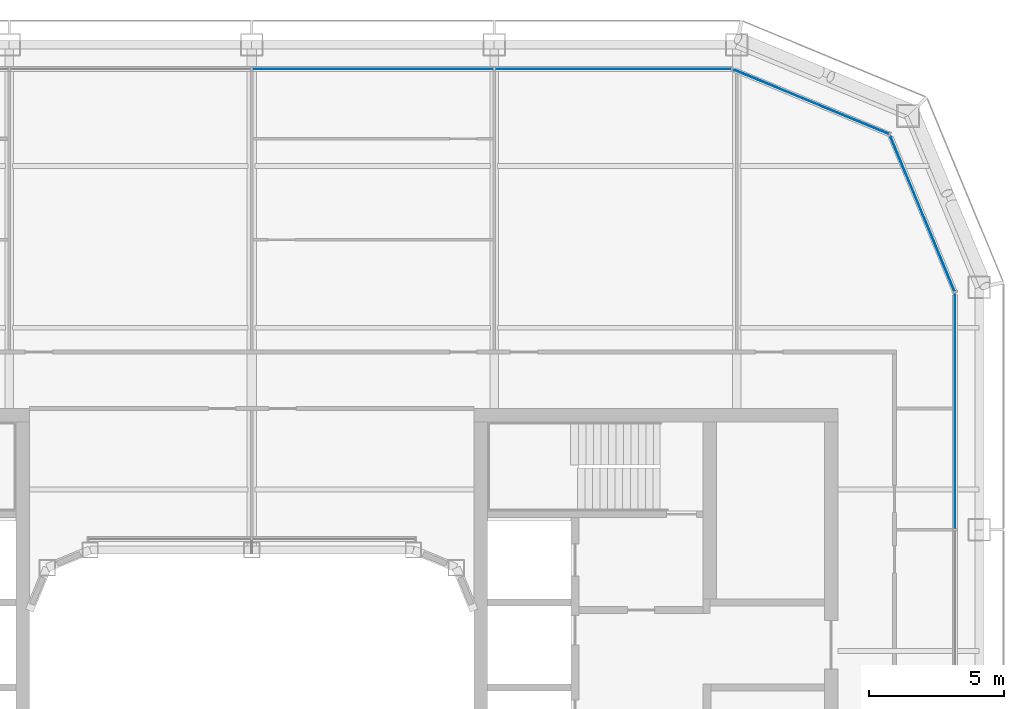
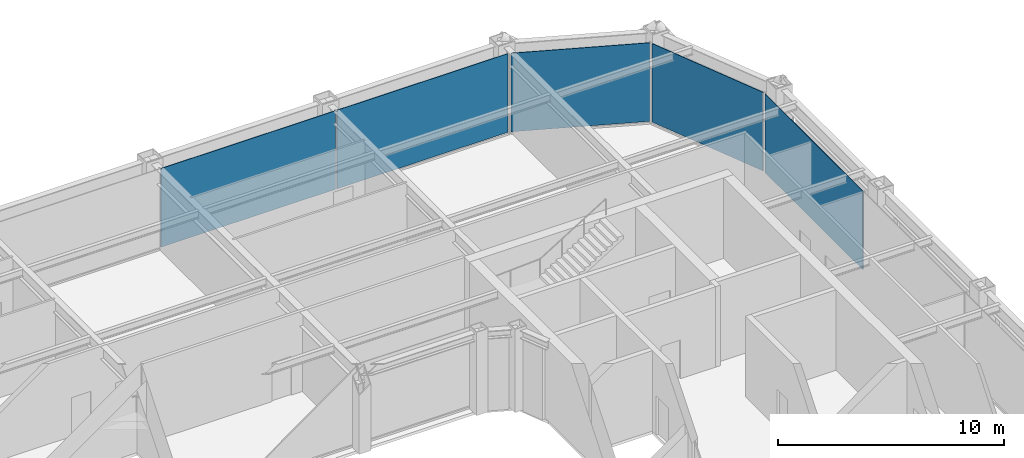
# One storey, part 12 of 23: 5 plates, 4 elements without a shape of their own.
"""IFC4 building model written with IfcOpenShell, lengths in metres."""

from ifc_helpers import new_model, si_unit, direction, frame, origin, origin_2d, place, context, subcontext, project, spatial, rectangle, extrude, material, layer, layer_set, type_object, element, aggregate, save


model = new_model("IFC4")

# Units and contexts
model_context = context("Model", 3, precision=1e-05, world=origin(), true_north=direction((0.0, 1.0)))
body_context = subcontext(model_context, "Body", "Model", "MODEL_VIEW")
ifc_project = project(units=[si_unit("LENGTHUNIT", "METRE"), si_unit("AREAUNIT", "SQUARE_METRE"), si_unit("VOLUMEUNIT", "CUBIC_METRE"), si_unit("PLANEANGLEUNIT", "RADIAN"), si_unit("MASSUNIT", "GRAM", prefix="KILO")], contexts=[model_context])

# Site, building, storey
site_placement = place(None, origin())
site = spatial("IfcSite", under=ifc_project, at=site_placement, CompositionType="ELEMENT")
building_placement = place(site_placement, origin())
building = spatial("IfcBuilding", under=site, at=building_placement, Name="Siwar Civic Tower", CompositionType="ELEMENT")
storey_placement = place(building_placement, frame((0.0, 0.0, 233.199951171875)))
storey = spatial("IfcBuildingStorey", under=building, at=storey_placement, Name="L50", CompositionType="ELEMENT", Elevation=233.199951171875)

# Curtain wall, plate
ifc_material_1 = material(Name="Aluminium and glass", Category="aluminium")
ifc_layer_1 = layer(ifc_material_1, 0.179931640625)
ifc_layer_set_1 = layer_set([ifc_layer_1], Name="Aluminium and glass")
curtain_wall_type_1 = type_object("IfcCurtainWallType", Name="ENV-CW-C", PredefinedType="NOTDEFINED", material=ifc_layer_set_1)
curtain_wall_1_placement = place(storey_placement, origin())
curtain_wall_1 = element("IfcCurtainWall", 1, at=curtain_wall_1_placement, inside=storey, type_object=curtain_wall_type_1, Name="Curtain wall C E", PredefinedType="NOTDEFINED")
ifc_material_2 = material(Name="Glass clear laminated", Category="glass")
ifc_layer_2 = layer(ifc_material_2, 0.031982421875)
ifc_layer_set_2 = layer_set([ifc_layer_2], Name="Glass clear laminated")
plate_type_1 = type_object("IfcPlateType", Name="ENV-PANEL-C", PredefinedType="CURTAIN_PANEL", material=ifc_layer_set_2)
plate_1_placement = place(storey_placement, frame((26.10009765625, 13.373046875, 0.10009765625), z_axis=(0.0, 0.0, 1.0), x_axis=(0.0, 1.0, 0.0)))
plate_1 = element("IfcPlate", 2, at=plate_1_placement, type_object=plate_type_1, Name="Curtain panel C E 4", PredefinedType="CURTAIN_PANEL", context=body_context, shape_type="SweptSolid", body=[
    extrude(rectangle(XDim=8.68603515625, YDim=0.031982421875, at=origin_2d()), origin(), (0.0, 0.0, 1.0), 4.25),
])
aggregate(curtain_wall_1, [plate_1])

# Curtain wall, plates
curtain_wall_2_placement = place(storey_placement, origin())
curtain_wall_2 = element("IfcCurtainWall", 3, at=curtain_wall_2_placement, inside=storey, type_object=curtain_wall_type_1, Name="Curtain wall C N", PredefinedType="NOTDEFINED")
plate_2_placement = place(storey_placement, frame((13.410400390625, 26.10009765625, 0.10009765625), z_axis=(0.0, 0.0, 1.0), x_axis=(-1.0, 0.0, 0.0)))
plate_2 = element("IfcPlate", 4, at=plate_2_placement, type_object=plate_type_1, Name="Curtain panel C N 1", PredefinedType="CURTAIN_PANEL", context=body_context, shape_type="SweptSolid", body=[
    extrude(rectangle(XDim=8.760986328125, YDim=0.031982421875, at=origin_2d()), origin(), (0.0, 0.0, 1.0), 4.25),
])
plate_3_placement = place(storey_placement, frame((4.5, 26.10009765625, 0.10009765625), z_axis=(0.0, 0.0, 1.0), x_axis=(-1.0, 0.0, 0.0)))
plate_3 = element("IfcPlate", 5, at=plate_3_placement, type_object=plate_type_1, Name="Curtain panel C N 2", PredefinedType="CURTAIN_PANEL", context=body_context, shape_type="SweptSolid", body=[
    extrude(rectangle(XDim=8.93994140625, YDim=0.031982421875, at=origin_2d()), origin(), (0.0, 0.0, 1.0), 4.25),
])
aggregate(curtain_wall_2, [plate_2, plate_3])

# Curtain wall, plate
ifc_material_3 = material(Name="Aluminium clad insulated panel", Category="aluminium")
ifc_layer_3 = layer(ifc_material_3, 0.179931640625)
ifc_layer_set_3 = layer_set([ifc_layer_3], Name="Aluminium clad insulated panel")
curtain_wall_type_2 = type_object("IfcCurtainWallType", Name="ENV-CW-CX", PredefinedType="NOTDEFINED", material=ifc_layer_set_3)
curtain_wall_3_placement = place(storey_placement, origin())
curtain_wall_3 = element("IfcCurtainWall", 6, at=curtain_wall_3_placement, inside=storey, type_object=curtain_wall_type_2, Name="Curtain wall C NE1", PredefinedType="NOTDEFINED")
ifc_material_4 = material(Name="Aluminium clad insulated panel", Category="aluminium")
ifc_layer_4 = layer(ifc_material_4, 0.031982421875)
ifc_layer_set_4 = layer_set([ifc_layer_4], Name="Aluminium clad insulated panel")
plate_type_2 = type_object("IfcPlateType", Name="ENV-PANEL-CX", PredefinedType="CURTAIN_PANEL", material=ifc_layer_set_4)
plate_4_placement = place(storey_placement, frame((24.90185546875, 20.71337890625, 0.10009765625), z_axis=(0.0, 0.0, 1.0), x_axis=(-0.382683432365, 0.923879532511, 0.0)))
plate_4 = element("IfcPlate", 7, at=plate_4_placement, type_object=plate_type_2, Name="Curtain panel C NE1 1", PredefinedType="CURTAIN_PANEL", context=body_context, shape_type="SweptSolid", body=[
    extrude(rectangle(XDim=6.20166015625, YDim=0.031982421875, at=origin_2d()), origin(), (0.0, 0.0, 1.0), 4.25),
])
aggregate(curtain_wall_3, [plate_4])

curtain_wall_4_placement = place(storey_placement, origin())
curtain_wall_4 = element("IfcCurtainWall", 8, at=curtain_wall_4_placement, inside=storey, type_object=curtain_wall_type_2, Name="Curtain wall C NE2", PredefinedType="NOTDEFINED")
plate_5_placement = place(storey_placement, frame((20.78271484375, 24.873291015625, 0.10009765625), z_axis=(0.0, 0.0, 1.0), x_axis=(-0.923879532511, 0.382683432365, 0.0)))
plate_5 = element("IfcPlate", 9, at=plate_5_placement, type_object=plate_type_2, Name="Curtain panel C NE2 1", PredefinedType="CURTAIN_PANEL", context=body_context, shape_type="SweptSolid", body=[
    extrude(rectangle(XDim=6.20166015625, YDim=0.031982421875, at=origin_2d()), origin(), (0.0, 0.0, 1.0), 4.25),
])
aggregate(curtain_wall_4, [plate_5])

save(model, "model.ifc")
